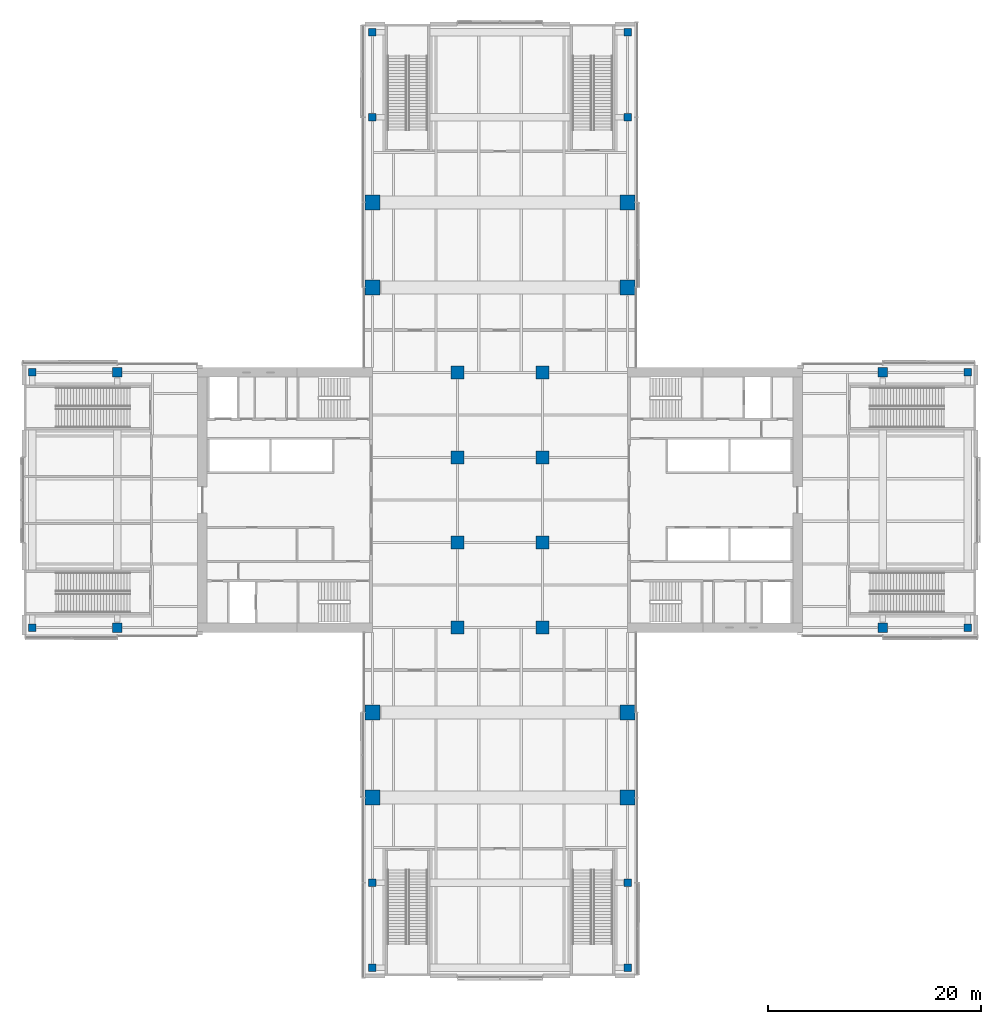
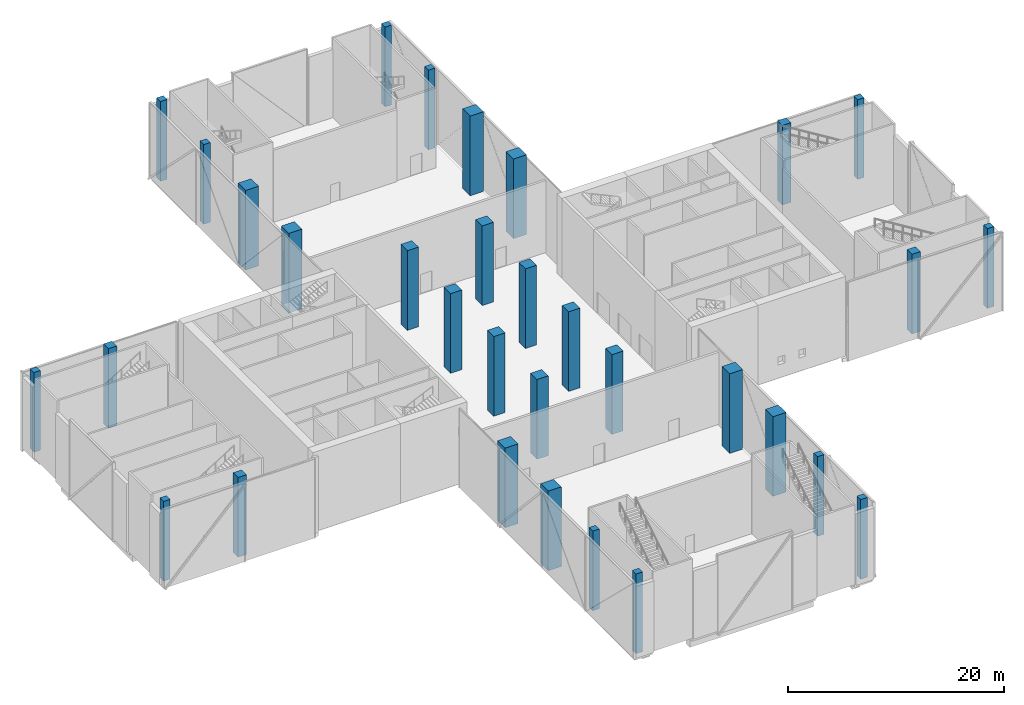
# One storey, part 1 of 26: 32 columns.
"""IFC4 building model written with IfcOpenShell, lengths in metres."""

from ifc_helpers import new_model, si_unit, direction, frame, origin, origin_2d, place, context, subcontext, project, spatial, rectangle, extrude, material, material_profile, profile_set, type_object, element, save


model = new_model("IFC4")

# Units and contexts
model_context = context("Model", 3, precision=1e-05, world=origin(), true_north=direction((0.0, 1.0)))
body_context = subcontext(model_context, "Body", "Model", "MODEL_VIEW")
ifc_project = project(units=[si_unit("LENGTHUNIT", "METRE"), si_unit("AREAUNIT", "SQUARE_METRE"), si_unit("VOLUMEUNIT", "CUBIC_METRE"), si_unit("PLANEANGLEUNIT", "RADIAN"), si_unit("MASSUNIT", "GRAM", prefix="KILO")], contexts=[model_context])

# Site, building, storey
site_placement = place(None, origin())
site = spatial("IfcSite", under=ifc_project, at=site_placement, CompositionType="ELEMENT")
building_placement = place(site_placement, origin())
building = spatial("IfcBuilding", under=site, at=building_placement, Name="Crosswind Convention Tower", CompositionType="ELEMENT")
storey_placement = place(building_placement, frame((0.0, 0.0, 25.0)))
storey = spatial("IfcBuildingStorey", under=building, at=storey_placement, Name="L03", CompositionType="ELEMENT", Elevation=25.0)

# Columns
ifc_material_1 = material(Name="Concrete C70/85", Category="concrete")
ifc_material_profile_1 = material_profile(ifc_material_1, rectangle(XDim=1.199951171875, YDim=1.199951171875, at=origin_2d()), Name="RC 1200X1200")
ifc_profile_set_1 = profile_set([ifc_material_profile_1], Name="Concrete C70/85")
column_type_1 = type_object("IfcColumnType", Name="Column RC 1200X1200", PredefinedType="COLUMN", material=ifc_profile_set_1)
for number, where, z_axis, x_axis, name in (
    (1, (121.0, 88.0, 0.0), (0.0, 0.0, 1.0), (1.0, 0.0, 0.0), "C11 L03 6/E"),
    (2, (121.0, 96.0, 0.0), (0.0, 0.0, 1.0), (1.0, 0.0, 0.0), "C11 L03 6/F"),
    (3, (121.0, 104.0, 0.0), (0.0, 0.0, 1.0), (1.0, 0.0, 0.0), "C11 L03 6/G"),
    (4, (121.0, 112.0, 0.0), (0.0, 0.0, 1.0), (1.0, 0.0, 0.0), "C11 L03 6/H"),
    (5, (129.0, 88.0, 0.0), (0.0, 0.0, 1.0), (1.0, 0.0, 0.0), "C11 L03 7/E"),
    (6, (129.0, 96.0, 0.0), (0.0, 0.0, 1.0), (1.0, 0.0, 0.0), "C11 L03 7/F"),
    (7, (129.0, 104.0, 0.0), (0.0, 0.0, 1.0), (1.0, 0.0, 0.0), "C11 L03 7/G"),
    (8, (129.0, 112.0, 0.0), (0.0, 0.0, 1.0), (1.0, 0.0, 0.0), "C11 L03 7/H"),
):
    element("IfcColumn", number, at=place(storey_placement, frame(where, z_axis=z_axis, x_axis=x_axis)), inside=storey, type_object=column_type_1, Name=name, PredefinedType="COLUMN", context=body_context, shape_type="SweptSolid", body=[
        extrude(rectangle(XDim=1.199951171875, YDim=1.199951171875, at=origin_2d()), origin(), (0.0, 0.0, 1.0), 9.0),
    ])
ifc_material_2 = material(Name="Concrete C80/95", Category="concrete")
ifc_material_profile_2 = material_profile(ifc_material_2, rectangle(XDim=1.39990234375, YDim=1.39990234375, at=origin_2d()), Name="RC 1400X1400")
ifc_profile_set_2 = profile_set([ifc_material_profile_2], Name="Concrete C80/95")
column_type_2 = type_object("IfcColumnType", Name="Column RC 1400X1400", PredefinedType="COLUMN", material=ifc_profile_set_2)
for number, where, z_axis, x_axis, name in (
    (9, (113.0, 72.0, 0.0), (0.0, 0.0, 1.0), (1.0, 0.0, 0.0), "C10 L03 5/C"),
    (10, (113.0, 80.0, 0.0), (0.0, 0.0, 1.0), (1.0, 0.0, 0.0), "C10 L03 5/D"),
    (11, (113.0, 120.0, 0.0), (0.0, 0.0, 1.0), (1.0, 0.0, 0.0), "C10 L03 5/I"),
    (12, (113.0, 128.0, 0.0), (0.0, 0.0, 1.0), (1.0, 0.0, 0.0), "C10 L03 5/J"),
    (13, (137.0, 72.0, 0.0), (0.0, 0.0, 1.0), (1.0, 0.0, 0.0), "C10 L03 8/C"),
    (14, (137.0, 80.0, 0.0), (0.0, 0.0, 1.0), (1.0, 0.0, 0.0), "C10 L03 8/D"),
    (15, (137.0, 120.0, 0.0), (0.0, 0.0, 1.0), (1.0, 0.0, 0.0), "C10 L03 8/I"),
    (16, (137.0, 128.0, 0.0), (0.0, 0.0, 1.0), (1.0, 0.0, 0.0), "C10 L03 8/J"),
):
    element("IfcColumn", number, at=place(storey_placement, frame(where, z_axis=z_axis, x_axis=x_axis)), inside=storey, type_object=column_type_2, Name=name, PredefinedType="COLUMN", context=body_context, shape_type="SweptSolid", body=[
        extrude(rectangle(XDim=1.39990234375, YDim=1.39990234375, at=origin_2d()), origin(), (0.0, 0.0, 1.0), 9.0),
    ])
ifc_material_3 = material(Name="Concrete C60/75", Category="concrete")
ifc_material_profile_3 = material_profile(ifc_material_3, rectangle(XDim=0.699951171875, YDim=0.699951171875, at=origin_2d()), Name="RC 700X700")
ifc_profile_set_3 = profile_set([ifc_material_profile_3], Name="Concrete C60/75")
column_type_3 = type_object("IfcColumnType", Name="Column RC 700X700", PredefinedType="COLUMN", material=ifc_profile_set_3)
for number, where, z_axis, x_axis, name in (
    (17, (81.0, 88.0, 0.0), (0.0, 0.0, 1.0), (1.0, 0.0, 0.0), "C15 L03 1/E"),
    (18, (81.0, 112.0, 0.0), (0.0, 0.0, 1.0), (1.0, 0.0, 0.0), "C15 L03 1/H"),
    (19, (113.0, 56.0, 0.0), (0.0, 0.0, 1.0), (1.0, 0.0, 0.0), "C15 L03 5/A"),
    (20, (113.0, 64.0, 0.0), (0.0, 0.0, 1.0), (1.0, 0.0, 0.0), "C15 L03 5/B"),
    (21, (113.0, 136.0, 0.0), (0.0, 0.0, 1.0), (1.0, 0.0, 0.0), "C15 L03 5/K"),
    (22, (113.0, 144.0, 0.0), (0.0, 0.0, 1.0), (1.0, 0.0, 0.0), "C15 L03 5/L"),
    (23, (137.0, 56.0, 0.0), (0.0, 0.0, 1.0), (1.0, 0.0, 0.0), "C15 L03 8/A"),
    (24, (137.0, 64.0, 0.0), (0.0, 0.0, 1.0), (1.0, 0.0, 0.0), "C15 L03 8/B"),
    (25, (137.0, 136.0, 0.0), (0.0, 0.0, 1.0), (1.0, 0.0, 0.0), "C15 L03 8/K"),
    (26, (137.0, 144.0, 0.0), (0.0, 0.0, 1.0), (1.0, 0.0, 0.0), "C15 L03 8/L"),
    (27, (169.0, 88.0, 0.0), (0.0, 0.0, 1.0), (1.0, 0.0, 0.0), "C15 L03 12/E"),
    (28, (169.0, 112.0, 0.0), (0.0, 0.0, 1.0), (1.0, 0.0, 0.0), "C15 L03 12/H"),
):
    element("IfcColumn", number, at=place(storey_placement, frame(where, z_axis=z_axis, x_axis=x_axis)), inside=storey, type_object=column_type_3, Name=name, PredefinedType="COLUMN", context=body_context, shape_type="SweptSolid", body=[
        extrude(rectangle(XDim=0.699951171875, YDim=0.699951171875, at=origin_2d()), origin(), (0.0, 0.0, 1.0), 9.0),
    ])
ifc_material_profile_4 = material_profile(ifc_material_3, rectangle(XDim=0.89990234375, YDim=0.89990234375, at=origin_2d()), Name="RC 900X900")
ifc_profile_set_4 = profile_set([ifc_material_profile_4], Name="Concrete C60/75")
column_type_4 = type_object("IfcColumnType", Name="Column RC 900X900", PredefinedType="COLUMN", material=ifc_profile_set_4)
for number, where, z_axis, x_axis, name in (
    (29, (89.0, 88.0, 0.0), (0.0, 0.0, 1.0), (1.0, 0.0, 0.0), "C13 L03 2/E"),
    (30, (89.0, 112.0, 0.0), (0.0, 0.0, 1.0), (1.0, 0.0, 0.0), "C13 L03 2/H"),
    (31, (161.0, 88.0, 0.0), (0.0, 0.0, 1.0), (1.0, 0.0, 0.0), "C13 L03 11/E"),
    (32, (161.0, 112.0, 0.0), (0.0, 0.0, 1.0), (1.0, 0.0, 0.0), "C13 L03 11/H"),
):
    element("IfcColumn", number, at=place(storey_placement, frame(where, z_axis=z_axis, x_axis=x_axis)), inside=storey, type_object=column_type_4, Name=name, PredefinedType="COLUMN", context=body_context, shape_type="SweptSolid", body=[
        extrude(rectangle(XDim=0.89990234375, YDim=0.89990234375, at=origin_2d()), origin(), (0.0, 0.0, 1.0), 9.0),
    ])

save(model, "model.ifc")
